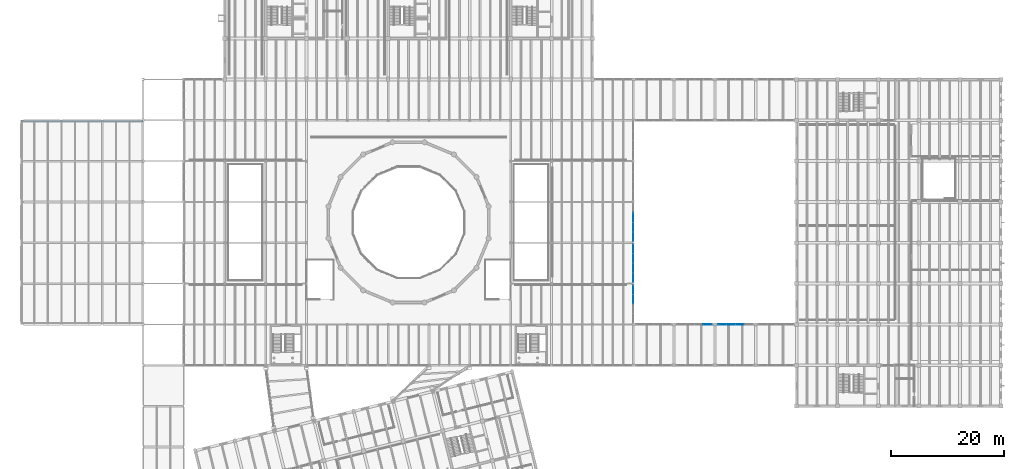
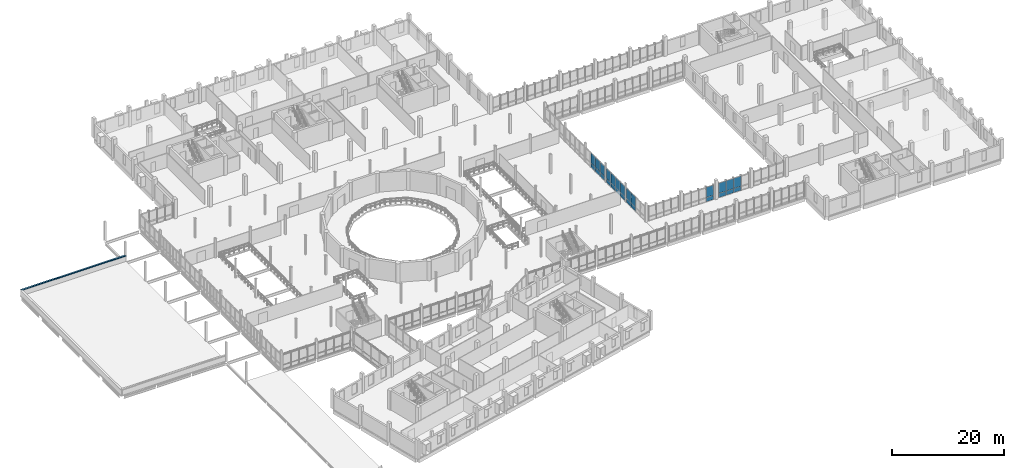
# One storey, part 47 of 72: 27 plates, 5 elements without a shape of their own.
"""IFC4 building model written with IfcOpenShell, lengths in metres."""

from ifc_helpers import new_model, si_unit, direction, frame, frame_2d, origin, place, context, subcontext, project, spatial, rectangle, extrude, material, layer, layer_set, type_object, element, aggregate, save


model = new_model("IFC4")

# Units and contexts
model_context = context("Model", 3, precision=1e-05, world=origin(), true_north=direction((0.0, 1.0)))
body_context = subcontext(model_context, "Body", "Model", "MODEL_VIEW")
ifc_project = project(units=[si_unit("LENGTHUNIT", "METRE"), si_unit("AREAUNIT", "SQUARE_METRE"), si_unit("VOLUMEUNIT", "CUBIC_METRE"), si_unit("PLANEANGLEUNIT", "RADIAN"), si_unit("MASSUNIT", "GRAM", prefix="KILO")], contexts=[model_context])

# Site, building, storey
site_placement = place(None, origin())
site = spatial("IfcSite", under=ifc_project, at=site_placement, CompositionType="ELEMENT")
building_placement = place(site_placement, origin())
building = spatial("IfcBuilding", under=site, at=building_placement, Name="Qiaolan Assembly House", CompositionType="ELEMENT")
storey_placement = place(building_placement, frame((0.0, 0.0, 10.199951171875)))
storey = spatial("IfcBuildingStorey", under=building, at=storey_placement, Name="L02", CompositionType="ELEMENT", Elevation=10.199951171875)

# Curtain wall, plates
ifc_material_1 = material(Name="Anodised bronze aluminium", Category="aluminium")
curtain_wall_type_1 = type_object("IfcCurtainWallType", Name="CW-CLOISTER-420", PredefinedType="NOTDEFINED", material=ifc_material_1)
curtain_wall_1_placement = place(storey_placement, origin())
curtain_wall_1 = element("IfcCurtainWall", 1, at=curtain_wall_1_placement, inside=storey, type_object=curtain_wall_type_1, Name="CW-05 South Cloister court arcade L02-2", PredefinedType="NOTDEFINED")
ifc_material_2 = material(Name="Low-E double insulating glass", Category="glass")
ifc_layer_1 = layer(ifc_material_2, 0.02587890625)
ifc_layer_set_1 = layer_set([ifc_layer_1], Name="Low-E double insulating glass")
plate_type_1 = type_object("IfcPlateType", Name="CW-CLOISTER-420-PNL", PredefinedType="CURTAIN_PANEL", material=ifc_layer_set_1)
plate_1_placement = place(storey_placement, frame((121.85302734375, 43.199951171875, 0.052978515625), z_axis=(0.0, 0.0, 1.0), x_axis=(-1.0, 0.0, 0.0)))
plate_1 = element("IfcPlate", 2, at=plate_1_placement, type_object=plate_type_1, Name="GL-06 glazing panel CW-CLS-CRT-L02-1-1", PredefinedType="CURTAIN_PANEL", context=body_context, shape_type="SweptSolid", body=[
    extrude(rectangle(XDim=1.486083984375, YDim=0.02587890625, at=frame_2d((0.7431640625, 0.0))), origin(), (0.0, 0.0, 1.0), 0.8740234375),
])
plate_2_placement = place(storey_placement, frame((121.85302734375, 43.199951171875, 0.97314453125), z_axis=(0.0, 0.0, 1.0), x_axis=(-1.0, 0.0, 0.0)))
plate_2 = element("IfcPlate", 3, at=plate_2_placement, type_object=plate_type_1, Name="GL-06 glazing panel CW-CLS-CRT-L02-1-2", PredefinedType="CURTAIN_PANEL", context=body_context, shape_type="SweptSolid", body=[
    extrude(rectangle(XDim=1.486083984375, YDim=0.02587890625, at=frame_2d((0.7431640625, 0.0))), origin(), (0.0, 0.0, 1.0), 2.19384765625),
])
aggregate(curtain_wall_1, [plate_1, plate_2])

curtain_wall_2_placement = place(storey_placement, origin())
curtain_wall_2 = element("IfcCurtainWall", 4, at=curtain_wall_2_placement, inside=storey, type_object=curtain_wall_type_1, Name="CW-05 South Cloister court arcade L02-3", PredefinedType="NOTDEFINED")
plate_3_placement = place(storey_placement, frame((127.512939453125, 43.199951171875, 0.052978515625), z_axis=(0.0, 0.0, 1.0), x_axis=(-1.0, 0.0, 0.0)))
plate_3 = element("IfcPlate", 5, at=plate_3_placement, type_object=plate_type_1, Name="GL-06 glazing panel CW-CLS-CRT-L02-2-3", PredefinedType="CURTAIN_PANEL", context=body_context, shape_type="SweptSolid", body=[
    extrude(rectangle(XDim=1.48583984375, YDim=0.02587890625, at=frame_2d((0.742919921875, 0.0))), origin(), (0.0, 0.0, 1.0), 0.8740234375),
])
plate_4_placement = place(storey_placement, frame((127.512939453125, 43.199951171875, 0.97314453125), z_axis=(0.0, 0.0, 1.0), x_axis=(-1.0, 0.0, 0.0)))
plate_4 = element("IfcPlate", 6, at=plate_4_placement, type_object=plate_type_1, Name="GL-06 glazing panel CW-CLS-CRT-L02-2-4", PredefinedType="CURTAIN_PANEL", context=body_context, shape_type="SweptSolid", body=[
    extrude(rectangle(XDim=1.48583984375, YDim=0.02587890625, at=frame_2d((0.742919921875, 0.0))), origin(), (0.0, 0.0, 1.0), 2.19384765625),
])
plate_5_placement = place(storey_placement, frame((125.972900390625, 43.199951171875, 0.052978515625), z_axis=(0.0, 0.0, 1.0), x_axis=(-1.0, 0.0, 0.0)))
plate_5 = element("IfcPlate", 7, at=plate_5_placement, type_object=plate_type_1, Name="GL-06 glazing panel CW-CLS-CRT-L02-2-5", PredefinedType="CURTAIN_PANEL", context=body_context, shape_type="SweptSolid", body=[
    extrude(rectangle(XDim=1.48583984375, YDim=0.02587890625, at=frame_2d((0.742919921875, 0.0))), origin(), (0.0, 0.0, 1.0), 0.8740234375),
])
plate_6_placement = place(storey_placement, frame((125.972900390625, 43.199951171875, 0.97314453125), z_axis=(0.0, 0.0, 1.0), x_axis=(-1.0, 0.0, 0.0)))
plate_6 = element("IfcPlate", 8, at=plate_6_placement, type_object=plate_type_1, Name="GL-06 glazing panel CW-CLS-CRT-L02-2-6", PredefinedType="CURTAIN_PANEL", context=body_context, shape_type="SweptSolid", body=[
    extrude(rectangle(XDim=1.48583984375, YDim=0.02587890625, at=frame_2d((0.742919921875, 0.0))), origin(), (0.0, 0.0, 1.0), 2.19384765625),
])
plate_7_placement = place(storey_placement, frame((124.43310546875, 43.199951171875, 0.052978515625), z_axis=(0.0, 0.0, 1.0), x_axis=(-1.0, 0.0, 0.0)))
plate_7 = element("IfcPlate", 9, at=plate_7_placement, type_object=plate_type_1, Name="GL-06 glazing panel CW-CLS-CRT-L02-2-7", PredefinedType="CURTAIN_PANEL", context=body_context, shape_type="SweptSolid", body=[
    extrude(rectangle(XDim=1.486083984375, YDim=0.02587890625, at=frame_2d((0.7431640625, 0.0))), origin(), (0.0, 0.0, 1.0), 0.8740234375),
])
plate_8_placement = place(storey_placement, frame((124.43310546875, 43.199951171875, 0.97314453125), z_axis=(0.0, 0.0, 1.0), x_axis=(-1.0, 0.0, 0.0)))
plate_8 = element("IfcPlate", 10, at=plate_8_placement, type_object=plate_type_1, Name="GL-06 glazing panel CW-CLS-CRT-L02-2-8", PredefinedType="CURTAIN_PANEL", context=body_context, shape_type="SweptSolid", body=[
    extrude(rectangle(XDim=1.486083984375, YDim=0.02587890625, at=frame_2d((0.7431640625, 0.0))), origin(), (0.0, 0.0, 1.0), 2.19384765625),
])
aggregate(curtain_wall_2, [plate_3, plate_4, plate_5, plate_6, plate_7, plate_8])

curtain_wall_type_2 = type_object("IfcCurtainWallType", Name="CW-HALL-UPPER-480", PredefinedType="NOTDEFINED", material=ifc_material_1)
curtain_wall_3_placement = place(storey_placement, origin())
curtain_wall_3 = element("IfcCurtainWall", 11, at=curtain_wall_3_placement, inside=storey, type_object=curtain_wall_type_2, Name="CW-01 Hall East court curtain wall L02-1", PredefinedType="NOTDEFINED")
ifc_layer_2 = layer(ifc_material_2, 0.031982421875)
ifc_layer_set_2 = layer_set([ifc_layer_2], Name="Low-E double insulating glass")
plate_type_2 = type_object("IfcPlateType", Name="CW-HALL-UPPER-480-PNL", PredefinedType="CURTAIN_PANEL", material=ifc_layer_set_2)
plate_9_placement = place(storey_placement, frame((108.0, 50.14501953125, 0.06005859375), z_axis=(0.0, 0.0, 1.0), x_axis=(0.0, -1.0, 0.0)))
plate_9 = element("IfcPlate", 12, at=plate_9_placement, type_object=plate_type_2, Name="GL-02 glazing panel CW-HALL-E-L02-00-1", PredefinedType="CURTAIN_PANEL", context=body_context, shape_type="SweptSolid", body=[
    extrude(rectangle(XDim=1.6201171875, YDim=0.031982421875, at=frame_2d((0.81005859375, 0.0))), origin(), (0.0, 0.0, 1.0), 0.860107421875),
])
plate_10_placement = place(storey_placement, frame((108.0, 50.14501953125, 0.97998046875), z_axis=(0.0, 0.0, 1.0), x_axis=(0.0, -1.0, 0.0)))
plate_10 = element("IfcPlate", 13, at=plate_10_placement, type_object=plate_type_2, Name="GL-02 glazing panel CW-HALL-E-L02-00-2", PredefinedType="CURTAIN_PANEL", context=body_context, shape_type="SweptSolid", body=[
    extrude(rectangle(XDim=1.6201171875, YDim=0.031982421875, at=frame_2d((0.81005859375, 0.0))), origin(), (0.0, 0.0, 1.0), 2.16015625),
])
plate_11_placement = place(storey_placement, frame((108.0, 48.455078125, 0.06005859375), z_axis=(0.0, 0.0, 1.0), x_axis=(0.0, -1.0, 0.0)))
plate_11 = element("IfcPlate", 14, at=plate_11_placement, type_object=plate_type_2, Name="GL-02 glazing panel CW-HALL-E-L02-00-3", PredefinedType="CURTAIN_PANEL", context=body_context, shape_type="SweptSolid", body=[
    extrude(rectangle(XDim=1.6201171875, YDim=0.031982421875, at=frame_2d((0.81005859375, 0.0))), origin(), (0.0, 0.0, 1.0), 0.860107421875),
])
plate_12_placement = place(storey_placement, frame((108.0, 48.455078125, 0.97998046875), z_axis=(0.0, 0.0, 1.0), x_axis=(0.0, -1.0, 0.0)))
plate_12 = element("IfcPlate", 15, at=plate_12_placement, type_object=plate_type_2, Name="GL-02 glazing panel CW-HALL-E-L02-00-4", PredefinedType="CURTAIN_PANEL", context=body_context, shape_type="SweptSolid", body=[
    extrude(rectangle(XDim=1.6201171875, YDim=0.031982421875, at=frame_2d((0.81005859375, 0.0))), origin(), (0.0, 0.0, 1.0), 2.16015625),
])
aggregate(curtain_wall_3, [plate_9, plate_10, plate_11, plate_12])

curtain_wall_4_placement = place(storey_placement, origin())
curtain_wall_4 = element("IfcCurtainWall", 16, at=curtain_wall_4_placement, inside=storey, type_object=curtain_wall_type_2, Name="CW-01 Hall East court curtain wall L02-2", PredefinedType="NOTDEFINED")
plate_13_placement = place(storey_placement, frame((108.0, 57.344970703125, 0.06005859375), z_axis=(0.0, 0.0, 1.0), x_axis=(0.0, -1.0, 0.0)))
plate_13 = element("IfcPlate", 17, at=plate_13_placement, type_object=plate_type_2, Name="GL-02 glazing panel CW-HALL-E-L02-01-1", PredefinedType="CURTAIN_PANEL", context=body_context, shape_type="SweptSolid", body=[
    extrude(rectangle(XDim=1.619873046875, YDim=0.031982421875, at=frame_2d((0.81005859375, 0.0))), origin(), (0.0, 0.0, 1.0), 0.860107421875),
])
plate_14_placement = place(storey_placement, frame((108.0, 57.344970703125, 0.97998046875), z_axis=(0.0, 0.0, 1.0), x_axis=(0.0, -1.0, 0.0)))
plate_14 = element("IfcPlate", 18, at=plate_14_placement, type_object=plate_type_2, Name="GL-02 glazing panel CW-HALL-E-L02-01-2", PredefinedType="CURTAIN_PANEL", context=body_context, shape_type="SweptSolid", body=[
    extrude(rectangle(XDim=1.619873046875, YDim=0.031982421875, at=frame_2d((0.81005859375, 0.0))), origin(), (0.0, 0.0, 1.0), 2.16015625),
])
plate_15_placement = place(storey_placement, frame((108.0, 55.655029296875, 0.06005859375), z_axis=(0.0, 0.0, 1.0), x_axis=(0.0, -1.0, 0.0)))
plate_15 = element("IfcPlate", 19, at=plate_15_placement, type_object=plate_type_2, Name="GL-02 glazing panel CW-HALL-E-L02-01-3", PredefinedType="CURTAIN_PANEL", context=body_context, shape_type="SweptSolid", body=[
    extrude(rectangle(XDim=1.6201171875, YDim=0.031982421875, at=frame_2d((0.81005859375, 0.0))), origin(), (0.0, 0.0, 1.0), 0.860107421875),
])
plate_16_placement = place(storey_placement, frame((108.0, 55.655029296875, 0.97998046875), z_axis=(0.0, 0.0, 1.0), x_axis=(0.0, -1.0, 0.0)))
plate_16 = element("IfcPlate", 20, at=plate_16_placement, type_object=plate_type_2, Name="GL-02 glazing panel CW-HALL-E-L02-01-4", PredefinedType="CURTAIN_PANEL", context=body_context, shape_type="SweptSolid", body=[
    extrude(rectangle(XDim=1.6201171875, YDim=0.031982421875, at=frame_2d((0.81005859375, 0.0))), origin(), (0.0, 0.0, 1.0), 2.16015625),
])
plate_17_placement = place(storey_placement, frame((108.0, 53.965087890625, 0.06005859375), z_axis=(0.0, 0.0, 1.0), x_axis=(0.0, -1.0, 0.0)))
plate_17 = element("IfcPlate", 21, at=plate_17_placement, type_object=plate_type_2, Name="GL-02 glazing panel CW-HALL-E-L02-01-5", PredefinedType="CURTAIN_PANEL", context=body_context, shape_type="SweptSolid", body=[
    extrude(rectangle(XDim=1.6201171875, YDim=0.031982421875, at=frame_2d((0.81005859375, 0.0))), origin(), (0.0, 0.0, 1.0), 0.860107421875),
])
plate_18_placement = place(storey_placement, frame((108.0, 53.965087890625, 0.97998046875), z_axis=(0.0, 0.0, 1.0), x_axis=(0.0, -1.0, 0.0)))
plate_18 = element("IfcPlate", 22, at=plate_18_placement, type_object=plate_type_2, Name="GL-02 glazing panel CW-HALL-E-L02-01-6", PredefinedType="CURTAIN_PANEL", context=body_context, shape_type="SweptSolid", body=[
    extrude(rectangle(XDim=1.6201171875, YDim=0.031982421875, at=frame_2d((0.81005859375, 0.0))), origin(), (0.0, 0.0, 1.0), 2.16015625),
])
plate_19_placement = place(storey_placement, frame((108.0, 52.27490234375, 0.06005859375), z_axis=(0.0, 0.0, 1.0), x_axis=(0.0, -1.0, 0.0)))
plate_19 = element("IfcPlate", 23, at=plate_19_placement, type_object=plate_type_2, Name="GL-02 glazing panel CW-HALL-E-L02-01-7", PredefinedType="CURTAIN_PANEL", context=body_context, shape_type="SweptSolid", body=[
    extrude(rectangle(XDim=1.619873046875, YDim=0.031982421875, at=frame_2d((0.81005859375, 0.0))), origin(), (0.0, 0.0, 1.0), 0.860107421875),
])
plate_20_placement = place(storey_placement, frame((108.0, 52.27490234375, 0.97998046875), z_axis=(0.0, 0.0, 1.0), x_axis=(0.0, -1.0, 0.0)))
plate_20 = element("IfcPlate", 24, at=plate_20_placement, type_object=plate_type_2, Name="GL-02 glazing panel CW-HALL-E-L02-01-8", PredefinedType="CURTAIN_PANEL", context=body_context, shape_type="SweptSolid", body=[
    extrude(rectangle(XDim=1.619873046875, YDim=0.031982421875, at=frame_2d((0.81005859375, 0.0))), origin(), (0.0, 0.0, 1.0), 2.16015625),
])
aggregate(curtain_wall_4, [plate_13, plate_14, plate_15, plate_16, plate_17, plate_18, plate_19, plate_20])

curtain_wall_5_placement = place(storey_placement, origin())
curtain_wall_5 = element("IfcCurtainWall", 25, at=curtain_wall_5_placement, inside=storey, type_object=curtain_wall_type_2, Name="CW-01 Hall East court curtain wall L02-3", PredefinedType="NOTDEFINED")
plate_21_placement = place(storey_placement, frame((108.0, 62.85498046875, 0.06005859375), z_axis=(0.0, 0.0, 1.0), x_axis=(0.0, -1.0, 0.0)))
plate_21 = element("IfcPlate", 26, at=plate_21_placement, type_object=plate_type_2, Name="GL-02 glazing panel CW-HALL-E-L02-02-3", PredefinedType="CURTAIN_PANEL", context=body_context, shape_type="SweptSolid", body=[
    extrude(rectangle(XDim=1.619873046875, YDim=0.031982421875, at=frame_2d((0.81005859375, 0.0))), origin(), (0.0, 0.0, 1.0), 0.860107421875),
])
plate_22_placement = place(storey_placement, frame((108.0, 62.85498046875, 0.97998046875), z_axis=(0.0, 0.0, 1.0), x_axis=(0.0, -1.0, 0.0)))
plate_22 = element("IfcPlate", 27, at=plate_22_placement, type_object=plate_type_2, Name="GL-02 glazing panel CW-HALL-E-L02-02-4", PredefinedType="CURTAIN_PANEL", context=body_context, shape_type="SweptSolid", body=[
    extrude(rectangle(XDim=1.619873046875, YDim=0.031982421875, at=frame_2d((0.81005859375, 0.0))), origin(), (0.0, 0.0, 1.0), 2.16015625),
])
plate_23_placement = place(storey_placement, frame((108.0, 61.1650390625, 0.06005859375), z_axis=(0.0, 0.0, 1.0), x_axis=(0.0, -1.0, 0.0)))
plate_23 = element("IfcPlate", 28, at=plate_23_placement, type_object=plate_type_2, Name="GL-02 glazing panel CW-HALL-E-L02-02-5", PredefinedType="CURTAIN_PANEL", context=body_context, shape_type="SweptSolid", body=[
    extrude(rectangle(XDim=1.6201171875, YDim=0.031982421875, at=frame_2d((0.81005859375, 0.0))), origin(), (0.0, 0.0, 1.0), 0.860107421875),
])
plate_24_placement = place(storey_placement, frame((108.0, 61.1650390625, 0.97998046875), z_axis=(0.0, 0.0, 1.0), x_axis=(0.0, -1.0, 0.0)))
plate_24 = element("IfcPlate", 29, at=plate_24_placement, type_object=plate_type_2, Name="GL-02 glazing panel CW-HALL-E-L02-02-6", PredefinedType="CURTAIN_PANEL", context=body_context, shape_type="SweptSolid", body=[
    extrude(rectangle(XDim=1.6201171875, YDim=0.031982421875, at=frame_2d((0.81005859375, 0.0))), origin(), (0.0, 0.0, 1.0), 2.16015625),
])
plate_25_placement = place(storey_placement, frame((108.0, 59.47509765625, 0.06005859375), z_axis=(0.0, 0.0, 1.0), x_axis=(0.0, -1.0, 0.0)))
plate_25 = element("IfcPlate", 30, at=plate_25_placement, type_object=plate_type_2, Name="GL-02 glazing panel CW-HALL-E-L02-02-7", PredefinedType="CURTAIN_PANEL", context=body_context, shape_type="SweptSolid", body=[
    extrude(rectangle(XDim=1.6201171875, YDim=0.031982421875, at=frame_2d((0.81005859375, 0.0))), origin(), (0.0, 0.0, 1.0), 0.860107421875),
])
plate_26_placement = place(storey_placement, frame((108.0, 59.47509765625, 0.97998046875), z_axis=(0.0, 0.0, 1.0), x_axis=(0.0, -1.0, 0.0)))
plate_26 = element("IfcPlate", 31, at=plate_26_placement, type_object=plate_type_2, Name="GL-02 glazing panel CW-HALL-E-L02-02-8", PredefinedType="CURTAIN_PANEL", context=body_context, shape_type="SweptSolid", body=[
    extrude(rectangle(XDim=1.6201171875, YDim=0.031982421875, at=frame_2d((0.81005859375, 0.0))), origin(), (0.0, 0.0, 1.0), 2.16015625),
])
aggregate(curtain_wall_5, [plate_21, plate_22, plate_23, plate_24, plate_25, plate_26])

# Plate
ifc_material_3 = material(Name="Honed pale limestone", Category="masonry")
ifc_layer_3 = layer(ifc_material_3, 0.074951171875)
ifc_layer_set_3 = layer_set([ifc_layer_3], Name="Honed pale limestone")
plate_type_3 = type_object("IfcPlateType", Name="PLT-COPING-STONE-380", PredefinedType="SHEET", material=ifc_layer_set_3)
plate_27_placement = place(storey_placement, frame((0.14990234375, 79.050048828125, 1.199951171875), z_axis=(0.0, 0.0, 1.0), x_axis=(1.0, 0.0, 0.0)))
element("IfcPlate", 32, at=plate_27_placement, inside=storey, type_object=plate_type_3, Name="CP-01 carved limestone parapet coping PAR-PORT-N", PredefinedType="SHEET", context=body_context, shape_type="SweptSolid", body=[
    extrude(rectangle(XDim=21.4501953125, YDim=0.3798828125, at=frame_2d((10.72509765625, 0.0))), origin(), (0.0, 0.0, 1.0), 0.0751953125),
])

save(model, "model.ifc")
